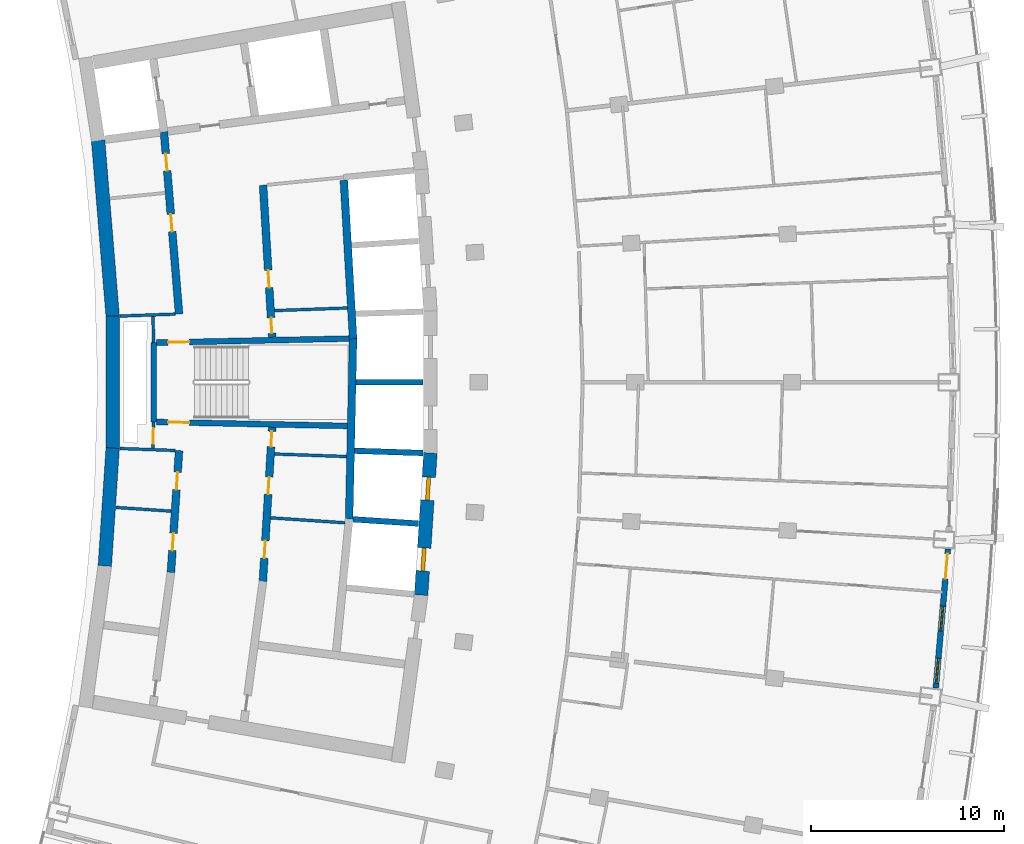
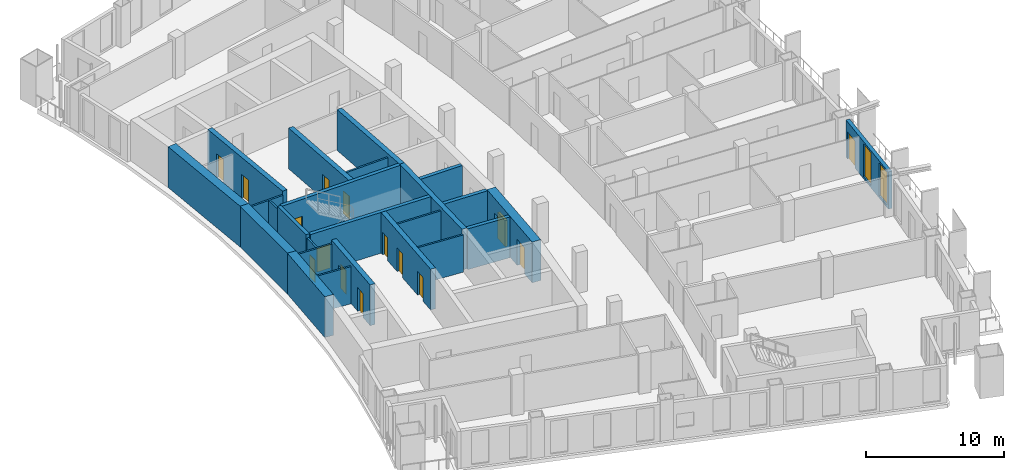
# One storey, part 13 of 20: 25 walls, 15 doors, 2 windows, 17 openings.
"""IFC4 building model written with IfcOpenShell, lengths in metres."""

from ifc_helpers import new_model, si_unit, direction, frame, frame_2d, origin, place, context, subcontext, project, spatial, rectangle, extrude, material, layer, layer_set, type_object, element, fill, save


model = new_model("IFC4")

# Units and contexts
model_context = context("Model", 3, precision=1e-05, world=origin(), true_north=direction((0.0, 1.0)))
body_context = subcontext(model_context, "Body", "Model", "MODEL_VIEW")
ifc_project = project(units=[si_unit("LENGTHUNIT", "METRE"), si_unit("AREAUNIT", "SQUARE_METRE"), si_unit("VOLUMEUNIT", "CUBIC_METRE"), si_unit("PLANEANGLEUNIT", "RADIAN"), si_unit("MASSUNIT", "GRAM", prefix="KILO")], contexts=[model_context])

# Site, building, storey
site_placement = place(None, origin())
site = spatial("IfcSite", under=ifc_project, at=site_placement, CompositionType="ELEMENT")
building_placement = place(site_placement, origin())
building = spatial("IfcBuilding", under=site, at=building_placement, Name="Alderwake Tower", CompositionType="ELEMENT")
storey_placement = place(building_placement, frame((0.0, 0.0, 142.39990234375)))
storey = spatial("IfcBuildingStorey", under=building, at=storey_placement, Name="L34", CompositionType="ELEMENT", Elevation=142.39990234375)

# Walls
ifc_material_1 = material(Name="Gypsum shaft wall system, rated")
ifc_layer_1 = layer(ifc_material_1, 0.14990234375)
ifc_layer_set_1 = layer_set([ifc_layer_1], Name="Core riser partition 150")
wall_type_1 = type_object("IfcWallType", Name="Core riser partition 150", PredefinedType="PARTITIONING", material=ifc_layer_set_1)
wall_1_placement = place(storey_placement, frame((25.1904296875, 57.276611328125, 0.0), z_axis=(0.0, 0.0, 1.0), x_axis=(0.99937350076, -0.035392173974, 0.0)))
element("IfcWall", 1, at=wall_1_placement, inside=storey, type_object=wall_type_1, Name="CW/L34/PR-37_+86", PredefinedType="PARTITIONING", context=body_context, shape_type="SweptSolid", body=[
    extrude(rectangle(XDim=3.752685546875, YDim=0.14990234375, at=frame_2d((1.87646484375, 0.0))), origin(), (0.0, 0.0, 1.0), 3.280029296875),
])
wall_2_placement = place(storey_placement, frame((25.191162109375, 64.723388671875, 0.0), z_axis=(0.0, 0.0, 1.0), x_axis=(0.999373627871, 0.035388584556, 0.0)))
element("IfcWall", 2, at=wall_2_placement, inside=storey, type_object=wall_type_1, Name="CW/L34/PR+37_+86", PredefinedType="PARTITIONING", context=body_context, shape_type="SweptSolid", body=[
    extrude(rectangle(XDim=3.79443359375, YDim=0.14990234375, at=frame_2d((1.897216796875, 0.0))), origin(), (0.0, 0.0, 1.0), 3.280029296875),
])

# Wall, opening, door
ifc_material_2 = material(Name="Gypsum shaft wall system, rated")
ifc_layer_2 = layer(ifc_material_2, 0.14990234375)
ifc_layer_set_2 = layer_set([ifc_layer_2], Name="Core room partition 150")
wall_type_2 = type_object("IfcWallType", Name="Core room partition 150", PredefinedType="PARTITIONING", material=ifc_layer_set_2)
wall_3_placement = place(storey_placement, frame((18.918701171875, 58.94384765625, 0.0), z_axis=(0.0, 0.0, 1.0), x_axis=(-0.027811602725, -0.999613182563, 0.0)))
wall_3 = element("IfcWall", 3, at=wall_3_placement, inside=storey, type_object=wall_type_2, Name="CW/L34/PA+24_-37", PredefinedType="PARTITIONING", context=body_context, shape_type="SweptSolid", body=[
    extrude(rectangle(XDim=1.369384765625, YDim=0.14990234375, at=frame_2d((0.6845703125, 0.0))), origin(), (0.0, 0.0, 1.0), 3.280029296875),
])
opening_1_placement = place(wall_3_placement, frame((0.322998046875, 0.0, 0.0)))
opening_1 = element("IfcOpeningElement", 4, at=opening_1_placement, cuts=wall_3, Name="Opening C004", PredefinedType="OPENING", context=body_context, shape_type="SweptSolid", body=[
    extrude(rectangle(XDim=0.800048828125, YDim=2.0, at=frame_2d((0.39990234375, 1.0))), frame((0.0, 0.0849609375, 0.0), z_axis=(0.0, -1.0, 0.0), x_axis=(1.0, 0.0, 0.0)), (0.0, 0.0, 1.0), 0.169921875),
])
ifc_material_3 = material(Name="Painted steel leaf, rated", Category="steel")
door_type_1 = type_object("IfcDoorType", Name="Riser access door 800", OperationType="SINGLE_SWING_LEFT", PredefinedType="DOOR", material=ifc_material_3)
door_1_placement = place(opening_1_placement, origin())
door_1 = element("IfcDoor", 5, at=door_1_placement, inside=storey, type_object=door_type_1, Name="Riser access door", OperationType="SINGLE_SWING_RIGHT", OverallHeight=2.0, OverallWidth=0.800048828125, PredefinedType="DOOR", context=body_context, shape_type="SweptSolid", body=[
    extrude(rectangle(XDim=0.800048828125, YDim=2.0, at=frame_2d((0.39990234375, 1.0))), frame((0.0, 0.02490234375, 0.0), z_axis=(0.0, -1.0, 0.0), x_axis=(1.0, 0.0, 0.0)), (0.0, 0.0, 1.0), 0.050048828125),
])
fill(opening_1, door_1)

# Walls
wall_4_placement = place(storey_placement, frame((18.918701171875, 63.05517578125, 0.0), z_axis=(0.0, 0.0, 1.0), x_axis=(-0.027791791559, 0.99961373356, 0.0)))
element("IfcWall", 6, at=wall_4_placement, inside=storey, type_object=wall_type_2, Name="CW/L34/PA+24_+22", PredefinedType="PARTITIONING", context=body_context, shape_type="SweptSolid", body=[
    extrude(rectangle(XDim=1.370361328125, YDim=0.14990234375, at=frame_2d((0.68505859375, 0.0))), origin(), (0.0, 0.0, 1.0), 3.280029296875),
])
wall_5_placement = place(storey_placement, frame((16.964111328125, 54.49951171875, 0.0), z_axis=(0.0, 0.0, 1.0), x_axis=(0.997759473015, -0.066903168895, 0.0)))
element("IfcWall", 7, at=wall_5_placement, inside=storey, type_object=wall_type_2, Name="CW/L34/PR-70_+0", PredefinedType="PARTITIONING", context=body_context, shape_type="SweptSolid", body=[
    extrude(rectangle(XDim=2.8681640625, YDim=0.14990234375, at=frame_2d((1.43408203125, 0.0))), origin(), (0.0, 0.0, 1.0), 3.280029296875),
])
wall_6_placement = place(storey_placement, frame((24.990234375, 53.96142578125, 0.0), z_axis=(0.0, 0.0, 1.0), x_axis=(0.997758824467, -0.06691284031, 0.0)))
element("IfcWall", 8, at=wall_6_placement, inside=storey, type_object=wall_type_2, Name="CW/L34/PR-70_+86", PredefinedType="PARTITIONING", context=body_context, shape_type="SweptSolid", body=[
    extrude(rectangle(XDim=3.86767578125, YDim=0.14990234375, at=frame_2d((1.933837890625, 0.0))), origin(), (0.0, 0.0, 1.0), 3.280029296875),
])
wall_7_placement = place(storey_placement, frame((17.169189453125, 57.560546875, 0.0), z_axis=(0.0, 0.0, 1.0), x_axis=(0.999373538371, -0.03539111194, 0.0)))
element("IfcWall", 9, at=wall_7_placement, inside=storey, type_object=wall_type_2, Name="CW/L34/PR-37_+0", PredefinedType="PARTITIONING", context=body_context, shape_type="SweptSolid", body=[
    extrude(rectangle(XDim=2.86962890625, YDim=0.14990234375, at=frame_2d((1.434814453125, 0.0))), origin(), (0.0, 0.0, 1.0), 3.280029296875),
])
wall_8_placement = place(storey_placement, frame((17.16943359375, 64.439453125, 0.0), z_axis=(0.0, 0.0, 1.0), x_axis=(0.999373431798, 0.035394121201, 0.0)))
element("IfcWall", 10, at=wall_8_placement, inside=storey, type_object=wall_type_2, Name="CW/L34/PR+37_+0", PredefinedType="PARTITIONING", context=body_context, shape_type="SweptSolid", body=[
    extrude(rectangle(XDim=2.869384765625, YDim=0.14990234375, at=frame_2d((1.4345703125, 0.0))), origin(), (0.0, 0.0, 1.0), 3.280029296875),
])
ifc_material_4 = material(Name="Concrete C70/85", Category="concrete")
ifc_layer_3 = layer(ifc_material_4, 0.699951171875)
ifc_layer_set_3 = layer_set([ifc_layer_3], Name="Core wall outer 700 C70-85")
wall_type_3 = type_object("IfcWallType", Name="Core wall outer 700 C70-85", PredefinedType="SHEAR", material=ifc_layer_set_3)
wall_9_placement = place(storey_placement, frame((16.379638671875, 51.46337890625, 0.0), z_axis=(0.0, 0.0, 1.0), x_axis=(0.066917731608, 0.997758496429, 0.0)))
element("IfcWall", 11, at=wall_9_placement, inside=storey, type_object=wall_type_3, Name="Core wall CW.041", PredefinedType="SHEAR", context=body_context, shape_type="SweptSolid", body=[
    extrude(rectangle(XDim=6.136474609375, YDim=0.699951171875, at=frame_2d((3.068359375, 0.0))), origin(), (0.0, 0.0, 1.0), 3.60009765625),
])
wall_10_placement = place(storey_placement, frame((16.789306640625, 57.561767578125, 0.0), z_axis=(0.0, 0.0, 1.0), x_axis=(0.0, 1.0, 0.0)))
element("IfcWall", 12, at=wall_10_placement, inside=storey, type_object=wall_type_3, Name="Core wall CW.043", PredefinedType="SHEAR", context=body_context, shape_type="SweptSolid", body=[
    extrude(rectangle(XDim=6.87939453125, YDim=0.699951171875, at=frame_2d((3.439697265625, 0.0))), origin(), (0.0, 0.0, 1.0), 3.60009765625),
])
wall_11_placement = place(storey_placement, frame((16.79052734375, 64.4111328125, 0.0), z_axis=(0.0, 0.0, 1.0), x_axis=(-0.082616907099, 0.996581379849, 0.0)))
element("IfcWall", 13, at=wall_11_placement, inside=storey, type_object=wall_type_3, Name="Core wall CW.040", PredefinedType="SHEAR", context=body_context, shape_type="SweptSolid", body=[
    extrude(rectangle(XDim=9.193359375, YDim=0.699951171875, at=frame_2d((4.5966796875, 0.0))), origin(), (0.0, 0.0, 1.0), 3.60009765625),
])

# Wall, openings, doors
wall_12_placement = place(storey_placement, frame((32.810302734375, 49.9482421875, 0.0), z_axis=(0.0, 0.0, 1.0), x_axis=(0.065009096017, 0.99788467141, 0.0)))
wall_12 = element("IfcWall", 14, at=wall_12_placement, inside=storey, type_object=wall_type_3, Name="Core wall CW.011", PredefinedType="SHEAR", context=body_context, shape_type="SweptSolid", body=[
    extrude(rectangle(XDim=7.39453125, YDim=0.699951171875, at=frame_2d((3.697265625, 0.0))), origin(), (0.0, 0.0, 1.0), 3.60009765625),
])
opening_2_placement = place(wall_12_placement, frame((1.255126953125, 0.0, 0.0)))
opening_2 = element("IfcOpeningElement", 15, at=opening_2_placement, cuts=wall_12, Name="Opening LD-HP1", PredefinedType="OPENING", context=body_context, shape_type="SweptSolid", body=[
    extrude(rectangle(XDim=1.199951171875, YDim=2.300048828125, at=frame_2d((0.60009765625, 1.14990234375))), frame((0.0, 0.35986328125, 0.0), z_axis=(0.0, -1.0, 0.0), x_axis=(1.0, 0.0, 0.0)), (0.0, 0.0, 1.0), 0.719970703125),
])
opening_3_placement = place(wall_12_placement, frame((4.9404296875, 0.0, 0.0)))
opening_3 = element("IfcOpeningElement", 16, at=opening_3_placement, cuts=wall_12, Name="Opening LD-HP2", PredefinedType="OPENING", context=body_context, shape_type="SweptSolid", body=[
    extrude(rectangle(XDim=1.199951171875, YDim=2.300048828125, at=frame_2d((0.60009765625, 1.14990234375))), frame((0.0, 0.35986328125, 0.0), z_axis=(0.0, -1.0, 0.0), x_axis=(1.0, 0.0, 0.0)), (0.0, 0.0, 1.0), 0.719970703125),
])
ifc_material_5 = material(Name="Stainless steel sliding leaf", Category="steel")
door_type_2 = type_object("IfcDoorType", Name="Lift landing door 1200", OperationType="SLIDING_TO_LEFT", PredefinedType="DOOR", material=ifc_material_5)
door_2_placement = place(opening_2_placement, origin())
door_2 = element("IfcDoor", 17, at=door_2_placement, inside=storey, type_object=door_type_2, Name="Lift landing door HP1", OperationType="SLIDING_TO_LEFT", OverallHeight=2.300048828125, OverallWidth=1.199951171875, PredefinedType="DOOR", context=body_context, shape_type="SweptSolid", body=[
    extrude(rectangle(XDim=1.199951171875, YDim=2.300048828125, at=frame_2d((0.60009765625, 1.14990234375))), frame((0.0, 0.10009765625, 0.0), z_axis=(0.0, -1.0, 0.0), x_axis=(1.0, 0.0, 0.0)), (0.0, 0.0, 1.0), 0.199951171875),
])
fill(opening_2, door_2)
door_3_placement = place(opening_3_placement, origin())
door_3 = element("IfcDoor", 18, at=door_3_placement, inside=storey, type_object=door_type_2, Name="Lift landing door HP2", OperationType="SLIDING_TO_LEFT", OverallHeight=2.300048828125, OverallWidth=1.199951171875, PredefinedType="DOOR", context=body_context, shape_type="SweptSolid", body=[
    extrude(rectangle(XDim=1.199951171875, YDim=2.300048828125, at=frame_2d((0.60009765625, 1.14990234375))), frame((0.0, 0.10009765625, 0.0), z_axis=(0.0, -1.0, 0.0), x_axis=(1.0, 0.0, 0.0)), (0.0, 0.0, 1.0), 0.199951171875),
])
fill(opening_3, door_3)

# Walls
ifc_material_6 = material(Name="Concrete C70/85", Category="concrete")
ifc_layer_4 = layer(ifc_material_6, 0.300048828125)
ifc_layer_set_4 = layer_set([ifc_layer_4], Name="Core wall shaft 300 C70-85")
wall_type_4 = type_object("IfcWallType", Name="Core wall shaft 300 C70-85", PredefinedType="SHEAR", material=ifc_layer_set_4)
wall_13_placement = place(storey_placement, frame((29.268798828125, 53.884521484375, 0.0), z_axis=(0.0, 0.0, 1.0), x_axis=(0.997884450261, -0.065012490553, 0.0)))
element("IfcWall", 19, at=wall_13_placement, inside=storey, type_object=wall_type_4, Name="Core wall CW.078", PredefinedType="SHEAR", context=body_context, shape_type="SweptSolid", body=[
    extrude(rectangle(XDim=3.409912109375, YDim=0.300048828125, at=frame_2d((1.705078125, 0.0))), origin(), (0.0, 0.0, 1.0), 3.60009765625),
])
wall_14_placement = place(storey_placement, frame((29.347412109375, 57.443603515625, 0.0), z_axis=(0.0, 0.0, 1.0), x_axis=(0.999470674121, -0.03253262319, 0.0)))
element("IfcWall", 20, at=wall_14_placement, inside=storey, type_object=wall_type_4, Name="Core wall CW.075", PredefinedType="SHEAR", context=body_context, shape_type="SweptSolid", body=[
    extrude(rectangle(XDim=3.564697265625, YDim=0.300048828125, at=frame_2d((1.7822265625, 0.0))), origin(), (0.0, 0.0, 1.0), 3.60009765625),
])
wall_15_placement = place(storey_placement, frame((29.426025390625, 61.0, 0.0), z_axis=(0.0, 0.0, 1.0), x_axis=(1.0, 0.0, 0.0)))
element("IfcWall", 21, at=wall_15_placement, inside=storey, type_object=wall_type_4, Name="Core wall CW.048", PredefinedType="SHEAR", context=body_context, shape_type="SweptSolid", body=[
    extrude(rectangle(XDim=3.484130859375, YDim=0.300048828125, at=frame_2d((1.7421875, 0.0))), origin(), (0.0, 0.0, 1.0), 3.60009765625),
])

# Wall, openings, doors
ifc_material_7 = material(Name="Concrete C70/85", Category="concrete")
ifc_layer_5 = layer(ifc_material_7, 0.39990234375)
ifc_layer_set_5 = layer_set([ifc_layer_5], Name="Core wall spine 400 C70-85")
wall_type_5 = type_object("IfcWallType", Name="Core wall spine 400 C70-85", PredefinedType="SHEAR", material=ifc_layer_set_5)
wall_16_placement = place(storey_placement, frame((20.2373046875, 57.451904296875, 0.0), z_axis=(0.0, 0.0, 1.0), x_axis=(-0.066887252767, -0.997760540118, 0.0)))
wall_16 = element("IfcWall", 22, at=wall_16_placement, inside=storey, type_object=wall_type_5, Name="Core wall CW.032", PredefinedType="SHEAR", context=body_context, shape_type="SweptSolid", body=[
    extrude(rectangle(XDim=6.33642578125, YDim=0.39990234375, at=frame_2d((3.168212890625, 0.0))), origin(), (0.0, 0.0, 1.0), 3.60009765625),
])
opening_4_placement = place(wall_16_placement, frame((4.29736328125, 0.0, 0.0)))
opening_4 = element("IfcOpeningElement", 23, at=opening_4_placement, cuts=wall_16, Name="Opening C038", PredefinedType="OPENING", context=body_context, shape_type="SweptSolid", body=[
    extrude(rectangle(XDim=0.89990234375, YDim=2.10009765625, at=frame_2d((0.449951171875, 1.050048828125))), frame((0.0, 0.2099609375, 0.0), z_axis=(0.0, -1.0, 0.0), x_axis=(1.0, 0.0, 0.0)), (0.0, 0.0, 1.0), 0.419921875),
])
opening_5_placement = place(wall_16_placement, frame((1.132080078125, 0.0, 0.0)))
opening_5 = element("IfcOpeningElement", 24, at=opening_5_placement, cuts=wall_16, Name="Opening C042", PredefinedType="OPENING", context=body_context, shape_type="SweptSolid", body=[
    extrude(rectangle(XDim=0.89990234375, YDim=2.10009765625, at=frame_2d((0.449951171875, 1.050048828125))), frame((0.0, 0.2099609375, 0.0), z_axis=(0.0, -1.0, 0.0), x_axis=(1.0, 0.0, 0.0)), (0.0, 0.0, 1.0), 0.419921875),
])
ifc_material_8 = material(Name="Painted steel leaf", Category="steel")
door_type_3 = type_object("IfcDoorType", Name="Core room door 900", OperationType="SINGLE_SWING_LEFT", PredefinedType="DOOR", material=ifc_material_8)
door_4_placement = place(opening_4_placement, origin())
door_4 = element("IfcDoor", 25, at=door_4_placement, inside=storey, type_object=door_type_3, Name="Room door", OperationType="SINGLE_SWING_RIGHT", OverallHeight=2.10009765625, OverallWidth=0.89990234375, PredefinedType="DOOR", context=body_context, shape_type="SweptSolid", body=[
    extrude(rectangle(XDim=0.89990234375, YDim=2.10009765625, at=frame_2d((0.449951171875, 1.050048828125))), frame((0.0, 0.02490234375, 0.0), z_axis=(0.0, -1.0, 0.0), x_axis=(1.0, 0.0, 0.0)), (0.0, 0.0, 1.0), 0.050048828125),
])
fill(opening_4, door_4)
door_5_placement = place(opening_5_placement, origin())
door_5 = element("IfcDoor", 26, at=door_5_placement, inside=storey, type_object=door_type_3, Name="Room door", OperationType="SINGLE_SWING_LEFT", OverallHeight=2.10009765625, OverallWidth=0.89990234375, PredefinedType="DOOR", context=body_context, shape_type="SweptSolid", body=[
    extrude(rectangle(XDim=0.89990234375, YDim=2.10009765625, at=frame_2d((0.449951171875, 1.050048828125))), frame((0.0, 0.02490234375, 0.0), z_axis=(0.0, -1.0, 0.0), x_axis=(1.0, 0.0, 0.0)), (0.0, 0.0, 1.0), 0.050048828125),
])
fill(opening_5, door_5)

wall_17_placement = place(storey_placement, frame((19.452392578125, 74.014892578125, 0.0), z_axis=(0.0, 0.0, 1.0), x_axis=(0.082628585297, -0.996580411654, 0.0)))
wall_17 = element("IfcWall", 27, at=wall_17_placement, inside=storey, type_object=wall_type_5, Name="Core wall CW.031", PredefinedType="SHEAR", context=body_context, shape_type="SweptSolid", body=[
    extrude(rectangle(XDim=9.499267578125, YDim=0.39990234375, at=frame_2d((4.74951171875, 0.0))), origin(), (0.0, 0.0, 1.0), 3.60009765625),
])
opening_6_placement = place(wall_17_placement, frame((4.302978515625, 0.0, 0.0)))
opening_6 = element("IfcOpeningElement", 28, at=opening_6_placement, cuts=wall_17, Name="Opening C052", PredefinedType="OPENING", context=body_context, shape_type="SweptSolid", body=[
    extrude(rectangle(XDim=0.89990234375, YDim=2.10009765625, at=frame_2d((0.449951171875, 1.050048828125))), frame((0.0, 0.2099609375, 0.0), z_axis=(0.0, -1.0, 0.0), x_axis=(1.0, 0.0, 0.0)), (0.0, 0.0, 1.0), 0.419921875),
])
opening_7_placement = place(wall_17_placement, frame((1.138427734375, 0.0, 0.0)))
opening_7 = element("IfcOpeningElement", 29, at=opening_7_placement, cuts=wall_17, Name="Opening C056", PredefinedType="OPENING", context=body_context, shape_type="SweptSolid", body=[
    extrude(rectangle(XDim=0.89990234375, YDim=2.10009765625, at=frame_2d((0.449951171875, 1.050048828125))), frame((0.0, 0.2099609375, 0.0), z_axis=(0.0, -1.0, 0.0), x_axis=(1.0, 0.0, 0.0)), (0.0, 0.0, 1.0), 0.419921875),
])
door_6_placement = place(opening_6_placement, origin())
door_6 = element("IfcDoor", 30, at=door_6_placement, inside=storey, type_object=door_type_3, Name="Room door", OperationType="SINGLE_SWING_LEFT", OverallHeight=2.10009765625, OverallWidth=0.89990234375, PredefinedType="DOOR", context=body_context, shape_type="SweptSolid", body=[
    extrude(rectangle(XDim=0.89990234375, YDim=2.10009765625, at=frame_2d((0.449951171875, 1.050048828125))), frame((0.0, 0.02490234375, 0.0), z_axis=(0.0, -1.0, 0.0), x_axis=(1.0, 0.0, 0.0)), (0.0, 0.0, 1.0), 0.050048828125),
])
fill(opening_6, door_6)
door_7_placement = place(opening_7_placement, origin())
door_7 = element("IfcDoor", 31, at=door_7_placement, inside=storey, type_object=door_type_3, Name="Room door", OperationType="SINGLE_SWING_RIGHT", OverallHeight=2.10009765625, OverallWidth=0.89990234375, PredefinedType="DOOR", context=body_context, shape_type="SweptSolid", body=[
    extrude(rectangle(XDim=0.89990234375, YDim=2.10009765625, at=frame_2d((0.449951171875, 1.050048828125))), frame((0.0, 0.02490234375, 0.0), z_axis=(0.0, -1.0, 0.0), x_axis=(1.0, 0.0, 0.0)), (0.0, 0.0, 1.0), 0.050048828125),
])
fill(opening_7, door_7)

wall_18_placement = place(storey_placement, frame((24.590087890625, 50.656982421875, 0.0), z_axis=(0.0, 0.0, 1.0), x_axis=(0.060320473855, 0.99817906231, 0.0)))
wall_18 = element("IfcWall", 32, at=wall_18_placement, inside=storey, type_object=wall_type_5, Name="Core wall CW.046", PredefinedType="SHEAR", context=body_context, shape_type="SweptSolid", body=[
    extrude(rectangle(XDim=8.02197265625, YDim=0.39990234375, at=frame_2d((4.010986328125, 0.0))), origin(), (0.0, 0.0, 1.0), 3.60009765625),
])
opening_8_placement = place(wall_18_placement, frame((7.005859375, 0.0, 0.0)))
opening_8 = element("IfcOpeningElement", 33, at=opening_8_placement, cuts=wall_18, Name="Opening C006", PredefinedType="OPENING", context=body_context, shape_type="SweptSolid", body=[
    extrude(rectangle(XDim=0.800048828125, YDim=2.0, at=frame_2d((0.39990234375, 1.0))), frame((0.0, 0.2099609375, 0.0), z_axis=(0.0, -1.0, 0.0), x_axis=(1.0, 0.0, 0.0)), (0.0, 0.0, 1.0), 0.419921875),
])
opening_9_placement = place(wall_18_placement, frame((1.21533203125, 0.0, 0.0)))
opening_9 = element("IfcOpeningElement", 34, at=opening_9_placement, cuts=wall_18, Name="Opening C044", PredefinedType="OPENING", context=body_context, shape_type="SweptSolid", body=[
    extrude(rectangle(XDim=0.89990234375, YDim=2.10009765625, at=frame_2d((0.449951171875, 1.050048828125))), frame((0.0, 0.2099609375, 0.0), z_axis=(0.0, -1.0, 0.0), x_axis=(1.0, 0.0, 0.0)), (0.0, 0.0, 1.0), 0.419921875),
])
opening_10_placement = place(wall_18_placement, frame((4.53173828125, 0.0, 0.0)))
opening_10 = element("IfcOpeningElement", 35, at=opening_10_placement, cuts=wall_18, Name="Opening C048", PredefinedType="OPENING", context=body_context, shape_type="SweptSolid", body=[
    extrude(rectangle(XDim=0.89990234375, YDim=2.10009765625, at=frame_2d((0.449951171875, 1.050048828125))), frame((0.0, 0.2099609375, 0.0), z_axis=(0.0, -1.0, 0.0), x_axis=(1.0, 0.0, 0.0)), (0.0, 0.0, 1.0), 0.419921875),
])
door_8_placement = place(opening_9_placement, origin())
door_8 = element("IfcDoor", 36, at=door_8_placement, inside=storey, type_object=door_type_3, Name="Room door", OperationType="SINGLE_SWING_RIGHT", OverallHeight=2.10009765625, OverallWidth=0.89990234375, PredefinedType="DOOR", context=body_context, shape_type="SweptSolid", body=[
    extrude(rectangle(XDim=0.89990234375, YDim=2.10009765625, at=frame_2d((0.449951171875, 1.050048828125))), frame((0.0, 0.02490234375, 0.0), z_axis=(0.0, -1.0, 0.0), x_axis=(1.0, 0.0, 0.0)), (0.0, 0.0, 1.0), 0.050048828125),
])
fill(opening_9, door_8)
door_9_placement = place(opening_10_placement, origin())
door_9 = element("IfcDoor", 37, at=door_9_placement, inside=storey, type_object=door_type_3, Name="Room door", OperationType="SINGLE_SWING_LEFT", OverallHeight=2.10009765625, OverallWidth=0.89990234375, PredefinedType="DOOR", context=body_context, shape_type="SweptSolid", body=[
    extrude(rectangle(XDim=0.89990234375, YDim=2.10009765625, at=frame_2d((0.449951171875, 1.050048828125))), frame((0.0, 0.02490234375, 0.0), z_axis=(0.0, -1.0, 0.0), x_axis=(1.0, 0.0, 0.0)), (0.0, 0.0, 1.0), 0.050048828125),
])
fill(opening_10, door_9)
door_10_placement = place(opening_8_placement, origin())
door_10 = element("IfcDoor", 38, at=door_10_placement, inside=storey, type_object=door_type_1, Name="Riser access door", OperationType="SINGLE_SWING_RIGHT", OverallHeight=2.0, OverallWidth=0.800048828125, PredefinedType="DOOR", context=body_context, shape_type="SweptSolid", body=[
    extrude(rectangle(XDim=0.800048828125, YDim=2.0, at=frame_2d((0.39990234375, 1.0))), frame((0.0, 0.02490234375, 0.0), z_axis=(0.0, -1.0, 0.0), x_axis=(1.0, 0.0, 0.0)), (0.0, 0.0, 1.0), 0.050048828125),
])
fill(opening_8, door_10)

wall_19_placement = place(storey_placement, frame((25.073974609375, 63.335693359375, 0.0), z_axis=(0.0, 0.0, 1.0), x_axis=(-0.059848641072, 0.998207463487, 0.0)))
wall_19 = element("IfcWall", 39, at=wall_19_placement, inside=storey, type_object=wall_type_5, Name="Core wall CW.045", PredefinedType="SHEAR", context=body_context, shape_type="SweptSolid", body=[
    extrude(rectangle(XDim=7.913818359375, YDim=0.39990234375, at=frame_2d((3.95703125, 0.0))), origin(), (0.0, 0.0, 1.0), 3.60009765625),
])
opening_11_placement = place(wall_19_placement, frame((0.216064453125, 0.0, 0.0)))
opening_11 = element("IfcOpeningElement", 40, at=opening_11_placement, cuts=wall_19, Name="Opening C005", PredefinedType="OPENING", context=body_context, shape_type="SweptSolid", body=[
    extrude(rectangle(XDim=0.800048828125, YDim=2.0, at=frame_2d((0.39990234375, 1.0))), frame((0.0, 0.2099609375, 0.0), z_axis=(0.0, -1.0, 0.0), x_axis=(1.0, 0.0, 0.0)), (0.0, 0.0, 1.0), 0.419921875),
])
opening_12_placement = place(wall_19_placement, frame((2.590087890625, 0.0, 0.0)))
opening_12 = element("IfcOpeningElement", 41, at=opening_12_placement, cuts=wall_19, Name="Opening C057", PredefinedType="OPENING", context=body_context, shape_type="SweptSolid", body=[
    extrude(rectangle(XDim=0.89990234375, YDim=2.10009765625, at=frame_2d((0.449951171875, 1.050048828125))), frame((0.0, 0.2099609375, 0.0), z_axis=(0.0, -1.0, 0.0), x_axis=(1.0, 0.0, 0.0)), (0.0, 0.0, 1.0), 0.419921875),
])
door_11_placement = place(opening_12_placement, origin())
door_11 = element("IfcDoor", 42, at=door_11_placement, inside=storey, type_object=door_type_3, Name="Room door", OperationType="SINGLE_SWING_LEFT", OverallHeight=2.10009765625, OverallWidth=0.89990234375, PredefinedType="DOOR", context=body_context, shape_type="SweptSolid", body=[
    extrude(rectangle(XDim=0.89990234375, YDim=2.10009765625, at=frame_2d((0.449951171875, 1.050048828125))), frame((0.0, 0.02490234375, 0.0), z_axis=(0.0, -1.0, 0.0), x_axis=(1.0, 0.0, 0.0)), (0.0, 0.0, 1.0), 0.050048828125),
])
fill(opening_12, door_11)
door_12_placement = place(opening_11_placement, origin())
door_12 = element("IfcDoor", 43, at=door_12_placement, inside=storey, type_object=door_type_1, Name="Riser access door", OperationType="SINGLE_SWING_LEFT", OverallHeight=2.0, OverallWidth=0.800048828125, PredefinedType="DOOR", context=body_context, shape_type="SweptSolid", body=[
    extrude(rectangle(XDim=0.800048828125, YDim=2.0, at=frame_2d((0.39990234375, 1.0))), frame((0.0, 0.02490234375, 0.0), z_axis=(0.0, -1.0, 0.0), x_axis=(1.0, 0.0, 0.0)), (0.0, 0.0, 1.0), 0.050048828125),
])
fill(opening_11, door_12)

# Walls
wall_20_placement = place(storey_placement, frame((29.06884765625, 53.8896484375, 0.0), z_axis=(0.0, 0.0, 1.0), x_axis=(0.022115722908, 0.99975541749, 0.0)))
element("IfcWall", 44, at=wall_20_placement, inside=storey, type_object=wall_type_5, Name="Core wall CW.008", PredefinedType="SHEAR", context=body_context, shape_type="SweptSolid", body=[
    extrude(rectangle(XDim=9.394287109375, YDim=0.39990234375, at=frame_2d((4.697265625, 0.0))), origin(), (0.0, 0.0, 1.0), 3.60009765625),
])
wall_21_placement = place(storey_placement, frame((29.27685546875, 63.2646484375, 0.0), z_axis=(0.0, 0.0, 1.0), x_axis=(-0.0584546922, 0.998290062537, 0.0)))
element("IfcWall", 45, at=wall_21_placement, inside=storey, type_object=wall_type_5, Name="Core wall CW.002", PredefinedType="SHEAR", context=body_context, shape_type="SweptSolid", body=[
    extrude(rectangle(XDim=8.24462890625, YDim=0.39990234375, at=frame_2d((4.122314453125, 0.0))), origin(), (0.0, 0.0, 1.0), 3.60009765625),
])
ifc_material_9 = material(Name="Concrete C70/85", Category="concrete")
ifc_layer_6 = layer(ifc_material_9, 0.300048828125)
ifc_layer_set_6 = layer_set([ifc_layer_6], Name="Core wall stair enclosure 300 C70-85")
wall_type_6 = type_object("IfcWallType", Name="Core wall stair enclosure 300 C70-85", PredefinedType="SHEAR", material=ifc_layer_set_6)
wall_22_placement = place(storey_placement, frame((18.918701171875, 58.940673828125, 0.0), z_axis=(0.0, 0.0, 1.0), x_axis=(0.0, 1.0, 0.0)))
element("IfcWall", 46, at=wall_22_placement, inside=storey, type_object=wall_type_6, Name="Core wall CW.024", PredefinedType="SHEAR", context=body_context, shape_type="SweptSolid", body=[
    extrude(rectangle(XDim=4.11962890625, YDim=0.300048828125, at=frame_2d((2.059814453125, 0.0))), origin(), (0.0, 0.0, 1.0), 3.60009765625),
])

# Wall, opening, door
wall_23_placement = place(storey_placement, frame((28.975830078125, 58.733154296875, 0.0), z_axis=(0.0, 0.0, 1.0), x_axis=(-0.999783782948, 0.020793925895, 0.0)))
wall_23 = element("IfcWall", 47, at=wall_23_placement, inside=storey, type_object=wall_type_6, Name="Core wall CW.074", PredefinedType="SHEAR", context=body_context, shape_type="SweptSolid", body=[
    extrude(rectangle(XDim=9.909423828125, YDim=0.300048828125, at=frame_2d((4.95458984375, 0.0))), origin(), (0.0, 0.0, 1.0), 3.60009765625),
])
opening_13_placement = place(wall_23_placement, frame((8.20947265625, 0.0, 0.0)))
opening_13 = element("IfcOpeningElement", 48, at=opening_13_placement, cuts=wall_23, Name="Opening C063", PredefinedType="OPENING", context=body_context, shape_type="SweptSolid", body=[
    extrude(rectangle(XDim=1.10009765625, YDim=2.10009765625, at=frame_2d((0.550048828125, 1.050048828125))), frame((0.0, 0.159912109375, 0.0), z_axis=(0.0, -1.0, 0.0), x_axis=(1.0, 0.0, 0.0)), (0.0, 0.0, 1.0), 0.320068359375),
])
ifc_material_10 = material(Name="Steel-framed fire door leaf", Category="steel")
door_type_4 = type_object("IfcDoorType", Name="Core stair door 1100 fire-rated", OperationType="SINGLE_SWING_LEFT", PredefinedType="DOOR", material=ifc_material_10)
door_13_placement = place(opening_13_placement, origin())
door_13 = element("IfcDoor", 49, at=door_13_placement, inside=storey, type_object=door_type_4, Name="Stair door", OperationType="SINGLE_SWING_LEFT", OverallHeight=2.10009765625, OverallWidth=1.10009765625, PredefinedType="DOOR", context=body_context, shape_type="SweptSolid", body=[
    extrude(rectangle(XDim=1.10009765625, YDim=2.10009765625, at=frame_2d((0.550048828125, 1.050048828125))), frame((0.0, 0.02490234375, 0.0), z_axis=(0.0, -1.0, 0.0), x_axis=(1.0, 0.0, 0.0)), (0.0, 0.0, 1.0), 0.050048828125),
])
fill(opening_13, door_13)

wall_24_placement = place(storey_placement, frame((19.068603515625, 63.060791015625, 0.0), z_axis=(0.0, 0.0, 1.0), x_axis=(0.999783553773, 0.02080494185, 0.0)))
wall_24 = element("IfcWall", 50, at=wall_24_placement, inside=storey, type_object=wall_type_6, Name="Core wall CW.057", PredefinedType="SHEAR", context=body_context, shape_type="SweptSolid", body=[
    extrude(rectangle(XDim=10.009765625, YDim=0.300048828125, at=frame_2d((5.0048828125, 0.0))), origin(), (0.0, 0.0, 1.0), 3.60009765625),
])
opening_14_placement = place(wall_24_placement, frame((0.60009765625, 0.0, 0.0)))
opening_14 = element("IfcOpeningElement", 51, at=opening_14_placement, cuts=wall_24, Name="Opening C064", PredefinedType="OPENING", context=body_context, shape_type="SweptSolid", body=[
    extrude(rectangle(XDim=1.10009765625, YDim=2.10009765625, at=frame_2d((0.550048828125, 1.050048828125))), frame((0.0, 0.159912109375, 0.0), z_axis=(0.0, -1.0, 0.0), x_axis=(1.0, 0.0, 0.0)), (0.0, 0.0, 1.0), 0.320068359375),
])
door_14_placement = place(opening_14_placement, origin())
door_14 = element("IfcDoor", 52, at=door_14_placement, inside=storey, type_object=door_type_4, Name="Stair door", OperationType="SINGLE_SWING_RIGHT", OverallHeight=2.10009765625, OverallWidth=1.10009765625, PredefinedType="DOOR", context=body_context, shape_type="SweptSolid", body=[
    extrude(rectangle(XDim=1.10009765625, YDim=2.10009765625, at=frame_2d((0.550048828125, 1.050048828125))), frame((0.0, 0.02490234375, 0.0), z_axis=(0.0, -1.0, 0.0), x_axis=(1.0, 0.0, 0.0)), (0.0, 0.0, 1.0), 0.050048828125),
])
fill(opening_14, door_14)

# Wall, openings, door, windows
ifc_material_11 = material(Name="Precast concrete C50/60 spandrel panel", Category="concrete")
ifc_layer_7 = layer(ifc_material_11, 0.300048828125)
ifc_layer_set_7 = layer_set([ifc_layer_7], Name="External wall EW1 Precast concrete C50/60 spandrel")
wall_type_7 = type_object("IfcWallType", Name="External wall EW1 Precast concrete C50/60 spandrel", PredefinedType="SOLIDWALL", material=ifc_layer_set_7)
wall_25_placement = place(storey_placement, frame((59.53662109375, 45.12255859375, 0.0), z_axis=(0.0, 0.0, 1.0), x_axis=(0.08737260162, 0.996175701614, 0.0)))
wall_25 = element("IfcWall", 53, at=wall_25_placement, inside=storey, type_object=wall_type_7, Name="External wall 14", PredefinedType="SOLIDWALL", context=body_context, shape_type="SweptSolid", body=[
    extrude(rectangle(XDim=7.245361328125, YDim=0.300048828125, at=frame_2d((3.62255859375, 0.0))), origin(), (0.0, 0.0, 1.0), 3.280029296875),
])
opening_15_placement = place(wall_25_placement, frame((0.2470703125, 0.0, 0.199951171875)))
opening_15 = element("IfcOpeningElement", 54, at=opening_15_placement, cuts=wall_25, Name="Opening W1", PredefinedType="OPENING", context=body_context, shape_type="SweptSolid", body=[
    extrude(rectangle(XDim=1.300048828125, YDim=2.89990234375, at=frame_2d((0.64990234375, 1.449951171875))), frame((0.0, 0.159912109375, 0.0), z_axis=(0.0, -1.0, 0.0), x_axis=(1.0, 0.0, 0.0)), (0.0, 0.0, 1.0), 0.320068359375),
])
opening_16_placement = place(wall_25_placement, frame((2.97265625, 0.0, 0.199951171875)))
opening_16 = element("IfcOpeningElement", 55, at=opening_16_placement, cuts=wall_25, Name="Opening W1", PredefinedType="OPENING", context=body_context, shape_type="SweptSolid", body=[
    extrude(rectangle(XDim=1.300048828125, YDim=2.89990234375, at=frame_2d((0.64990234375, 1.449951171875))), frame((0.0, 0.159912109375, 0.0), z_axis=(0.0, -1.0, 0.0), x_axis=(1.0, 0.0, 0.0)), (0.0, 0.0, 1.0), 0.320068359375),
])
opening_17_placement = place(wall_25_placement, frame((5.698486328125, 0.0, 0.0)))
opening_17 = element("IfcOpeningElement", 56, at=opening_17_placement, cuts=wall_25, Name="Opening D04", PredefinedType="OPENING", context=body_context, shape_type="SweptSolid", body=[
    extrude(rectangle(XDim=1.300048828125, YDim=2.39990234375, at=frame_2d((0.64990234375, 1.199951171875))), frame((0.0, 0.159912109375, 0.0), z_axis=(0.0, -1.0, 0.0), x_axis=(1.0, 0.0, 0.0)), (0.0, 0.0, 1.0), 0.320068359375),
])
ifc_material_12 = material(Name="Bronze tinted glass in aluminium frame", Category="aluminium")
door_type_5 = type_object("IfcDoorType", Name="Balcony door BD sliding", OperationType="SLIDING_TO_LEFT", PredefinedType="DOOR", material=ifc_material_12)
door_15_placement = place(opening_17_placement, origin())
door_15 = element("IfcDoor", 57, at=door_15_placement, inside=storey, type_object=door_type_5, Name="Door D04", OperationType="SLIDING_TO_LEFT", OverallHeight=2.39990234375, OverallWidth=1.300048828125, PredefinedType="DOOR", context=body_context, shape_type="SweptSolid", body=[
    extrude(rectangle(XDim=1.300048828125, YDim=2.39990234375, at=frame_2d((0.64990234375, 1.199951171875))), frame((0.0, 0.02490234375, 0.0), z_axis=(0.0, -1.0, 0.0), x_axis=(1.0, 0.0, 0.0)), (0.0, 0.0, 1.0), 0.050048828125),
])
fill(opening_17, door_15)
ifc_material_13 = material(Name="Bronze tinted glass in aluminium frame", Category="aluminium")
window_type = type_object("IfcWindowType", Name="Window W1 tall fixed and vent", PartitioningType="DOUBLE_PANEL_VERTICAL", PredefinedType="WINDOW", material=ifc_material_13)
window_1_placement = place(opening_15_placement, origin())
window_1 = element("IfcWindow", 58, at=window_1_placement, inside=storey, type_object=window_type, Name="Window W1 tall fixed and vent", OverallHeight=2.89990234375, OverallWidth=1.300048828125, PartitioningType="DOUBLE_PANEL_VERTICAL", PredefinedType="WINDOW", context=body_context, shape_type="SweptSolid", body=[
    extrude(rectangle(XDim=1.300048828125, YDim=2.89990234375, at=frame_2d((0.64990234375, 1.449951171875))), frame((0.0, 0.030029296875, 0.0), z_axis=(0.0, -1.0, 0.0), x_axis=(1.0, 0.0, 0.0)), (0.0, 0.0, 1.0), 0.06005859375),
])
fill(opening_15, window_1)
window_2_placement = place(opening_16_placement, origin())
window_2 = element("IfcWindow", 59, at=window_2_placement, inside=storey, type_object=window_type, Name="Window W1 tall fixed and vent", OverallHeight=2.89990234375, OverallWidth=1.300048828125, PartitioningType="DOUBLE_PANEL_VERTICAL", PredefinedType="WINDOW", context=body_context, shape_type="SweptSolid", body=[
    extrude(rectangle(XDim=1.300048828125, YDim=2.89990234375, at=frame_2d((0.64990234375, 1.449951171875))), frame((0.0, 0.030029296875, 0.0), z_axis=(0.0, -1.0, 0.0), x_axis=(1.0, 0.0, 0.0)), (0.0, 0.0, 1.0), 0.06005859375),
])
fill(opening_16, window_2)

save(model, "model.ifc")
